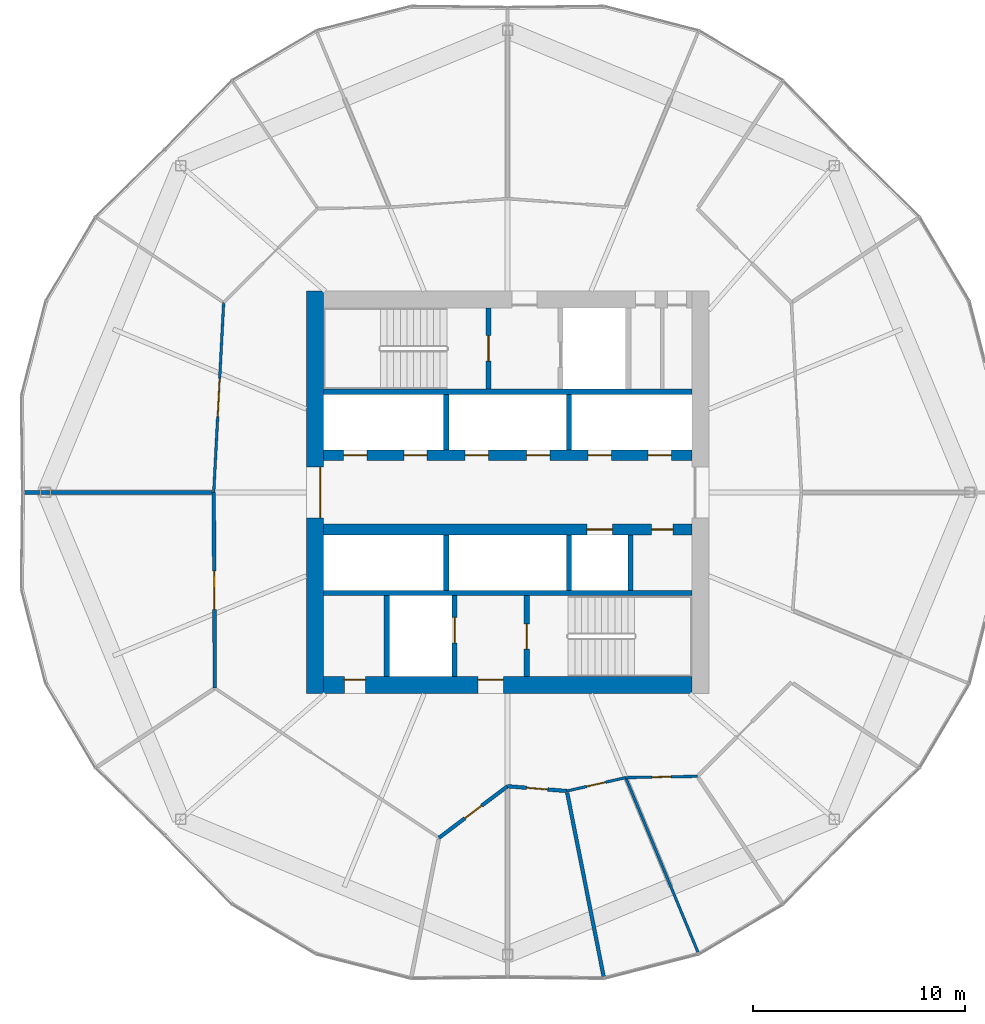
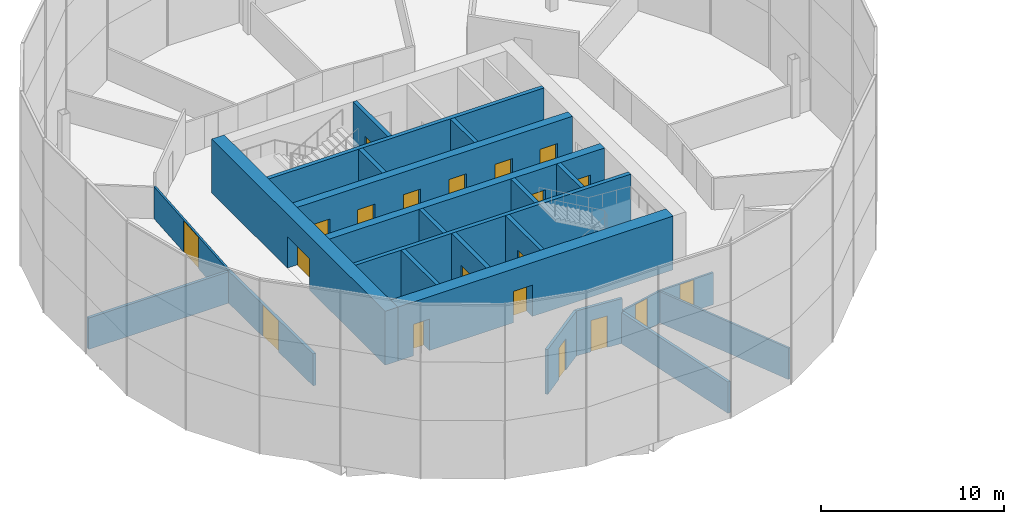
# One storey, part 20 of 25: 24 walls, 20 doors, 20 openings.
"""IFC4 building model written with IfcOpenShell, lengths in metres."""

from ifc_helpers import new_model, si_unit, direction, frame, frame_2d, origin, place, context, subcontext, project, spatial, rectangle, extrude, material, layer, layer_set, type_object, element, fill, save


model = new_model("IFC4")

# Units and contexts
model_context = context("Model", 3, precision=1e-05, world=origin(), true_north=direction((0.0, 1.0)))
body_context = subcontext(model_context, "Body", "Model", "MODEL_VIEW")
ifc_project = project(units=[si_unit("LENGTHUNIT", "METRE"), si_unit("AREAUNIT", "SQUARE_METRE"), si_unit("VOLUMEUNIT", "CUBIC_METRE"), si_unit("PLANEANGLEUNIT", "RADIAN"), si_unit("MASSUNIT", "GRAM", prefix="KILO")], contexts=[model_context])

# Site, building, storey
site_placement = place(None, origin())
site = spatial("IfcSite", under=ifc_project, at=site_placement, CompositionType="ELEMENT")
building_placement = place(site_placement, origin())
building = spatial("IfcBuilding", under=site, at=building_placement, Name="Ogive Gate Towers", CompositionType="ELEMENT")
storey_placement = place(building_placement, frame((0.0, 0.0, 44.10009765625)))
storey = spatial("IfcBuildingStorey", under=building, at=storey_placement, Name="L09", CompositionType="ELEMENT", Elevation=44.10009765625)

# Walls
ifc_material_1 = material(Name="Gypsum board acoustic partition")
ifc_layer_1 = layer(ifc_material_1, 0.175048828125)
ifc_layer_set_1 = layer_set([ifc_layer_1], Name="Acoustic partition 175")
wall_type_1 = type_object("IfcWallType", Name="Acoustic partition 175", PredefinedType="PARTITIONING", material=ifc_layer_set_1)
for number, where, z_axis, x_axis, name in (
    (1, (-58.799072265625, 0.0, 0.0), (0.0, 0.0, 1.0), (1.0, 0.0, 0.0), "Partition T1-L09-009"),
    (2, (-31.4619140625, -22.853271484375, 0.0), (0.0, 0.0, 1.0), (-0.194783088944, 0.980846342839, 0.0), "Partition T1-L09-013"),
):
    element("IfcWall", number, at=place(storey_placement, frame(where, z_axis=z_axis, x_axis=x_axis)), inside=storey, type_object=wall_type_1, Name=name, PredefinedType="PARTITIONING", context=body_context, shape_type="SweptSolid", body=[
        extrude(rectangle(XDim=8.841552734375, YDim=0.175048828125, at=frame_2d((4.4208984375, 0.0))), origin(), (0.0, 0.0, 1.0), 2.099853515625),
    ])

# Wall, opening, door
wall_1_placement = place(storey_placement, frame((-49.8701171875, 0.0, 0.0), z_axis=(0.0, 0.0, 1.0), x_axis=(0.005813701595, -0.999983100294, 0.0)))
wall_1 = element("IfcWall", 3, at=wall_1_placement, inside=storey, type_object=wall_type_1, Name="Partition T1-L09-023", PredefinedType="PARTITIONING", context=body_context, shape_type="SweptSolid", body=[
    extrude(rectangle(XDim=9.23876953125, YDim=0.175048828125, at=frame_2d((4.619384765625, 0.0))), origin(), (0.0, 0.0, 1.0), 2.139892578125),
])
opening_1_placement = place(wall_1_placement, frame((3.718994140625, 0.0, 0.0)))
opening_1 = element("IfcOpeningElement", 4, at=opening_1_placement, cuts=wall_1, Name="Opening T1-L09-D06", PredefinedType="OPENING", context=body_context, shape_type="SweptSolid", body=[
    extrude(rectangle(XDim=1.800048828125, YDim=2.10009765625, at=frame_2d((0.89990234375, 1.050048828125))), frame((0.0, 0.09765625, 0.0), z_axis=(0.0, -1.0, 0.0), x_axis=(1.0, 0.0, 0.0)), (0.0, 0.0, 1.0), 0.195068359375),
])
ifc_material_2 = material(Name="Timber door", Category="wood")
door_type_1 = type_object("IfcDoorType", Name="Door pair 1800", OperationType="NOTDEFINED", PredefinedType="DOOR", material=ifc_material_2)
door_1_placement = place(opening_1_placement, origin())
door_1 = element("IfcDoor", 5, at=door_1_placement, inside=storey, type_object=door_type_1, Name="Door T1-L09-D06", OperationType="DOUBLE_DOOR_DOUBLE_SWING", OverallHeight=2.10009765625, OverallWidth=1.800048828125, PredefinedType="DOOR", context=body_context, shape_type="SweptSolid", body=[
    extrude(rectangle(XDim=1.800048828125, YDim=2.10009765625, at=frame_2d((0.89990234375, 1.050048828125))), frame((0.0, 0.02490234375, 0.0), z_axis=(0.0, -1.0, 0.0), x_axis=(1.0, 0.0, 0.0)), (0.0, 0.0, 1.0), 0.050048828125),
])
fill(opening_1, door_1)

wall_2_placement = place(storey_placement, frame((-39.2373046875, -16.30224609375, 0.0), z_axis=(0.0, 0.0, 1.0), x_axis=(0.79950772628, 0.600655804616, 0.0)))
wall_2 = element("IfcWall", 6, at=wall_2_placement, inside=storey, type_object=wall_type_1, Name="Partition T1-L09-025", PredefinedType="PARTITIONING", context=body_context, shape_type="SweptSolid", body=[
    extrude(rectangle(XDim=4.049072265625, YDim=0.175048828125, at=frame_2d((2.0244140625, 0.0))), origin(), (0.0, 0.0, 1.0), 3.0),
])
opening_2_placement = place(wall_2_placement, frame((1.52490234375, 0.0, 0.0)))
opening_2 = element("IfcOpeningElement", 7, at=opening_2_placement, cuts=wall_2, Name="Opening T1-L09-D08", PredefinedType="OPENING", context=body_context, shape_type="SweptSolid", body=[
    extrude(rectangle(XDim=1.0, YDim=2.10009765625, at=frame_2d((0.5, 1.050048828125))), frame((0.0, 0.09765625, 0.0), z_axis=(0.0, -1.0, 0.0), x_axis=(1.0, 0.0, 0.0)), (0.0, 0.0, 1.0), 0.195068359375),
])
door_type_2 = type_object("IfcDoorType", Name="Door 1000", OperationType="NOTDEFINED", PredefinedType="DOOR", material=ifc_material_2)
door_2_placement = place(opening_2_placement, origin())
door_2 = element("IfcDoor", 8, at=door_2_placement, inside=storey, type_object=door_type_2, Name="Door T1-L09-D08", OperationType="SINGLE_SWING_RIGHT", OverallHeight=2.10009765625, OverallWidth=1.0, PredefinedType="DOOR", context=body_context, shape_type="SweptSolid", body=[
    extrude(rectangle(XDim=1.0, YDim=2.10009765625, at=frame_2d((0.5, 1.050048828125))), frame((0.0, 0.02490234375, 0.0), z_axis=(0.0, -1.0, 0.0), x_axis=(1.0, 0.0, 0.0)), (0.0, 0.0, 1.0), 0.050048828125),
])
fill(opening_2, door_2)

wall_3_placement = place(storey_placement, frame((-36.0, -13.8701171875, 0.0), z_axis=(0.0, 0.0, 1.0), x_axis=(0.996781460413, -0.080166827155, 0.0)))
wall_3 = element("IfcWall", 9, at=wall_3_placement, inside=storey, type_object=wall_type_1, Name="Partition T1-L09-026", PredefinedType="PARTITIONING", context=body_context, shape_type="SweptSolid", body=[
    extrude(rectangle(XDim=2.807861328125, YDim=0.175048828125, at=frame_2d((1.40380859375, 0.0))), origin(), (0.0, 0.0, 1.0), 3.0),
])
opening_3_placement = place(wall_3_placement, frame((0.904052734375, 0.0, 0.0)))
opening_3 = element("IfcOpeningElement", 10, at=opening_3_placement, cuts=wall_3, Name="Opening T1-L09-D09", PredefinedType="OPENING", context=body_context, shape_type="SweptSolid", body=[
    extrude(rectangle(XDim=1.0, YDim=2.10009765625, at=frame_2d((0.5, 1.050048828125))), frame((0.0, 0.09765625, 0.0), z_axis=(0.0, -1.0, 0.0), x_axis=(1.0, 0.0, 0.0)), (0.0, 0.0, 1.0), 0.195068359375),
])
door_3_placement = place(opening_3_placement, origin())
door_3 = element("IfcDoor", 11, at=door_3_placement, inside=storey, type_object=door_type_2, Name="Door T1-L09-D09", OperationType="SINGLE_SWING_LEFT", OverallHeight=2.10009765625, OverallWidth=1.0, PredefinedType="DOOR", context=body_context, shape_type="SweptSolid", body=[
    extrude(rectangle(XDim=1.0, YDim=2.10009765625, at=frame_2d((0.5, 1.050048828125))), frame((0.0, 0.02490234375, 0.0), z_axis=(0.0, -1.0, 0.0), x_axis=(1.0, 0.0, 0.0)), (0.0, 0.0, 1.0), 0.050048828125),
])
fill(opening_3, door_3)

# Wall, openings, doors
ifc_material_3 = material(Name="Concrete C60/75", Category="concrete")
ifc_layer_2 = layer(ifc_material_3, 0.800048828125)
ifc_layer_set_2 = layer_set([ifc_layer_2], Name="Core wall 800 mm")
wall_type_2 = type_object("IfcWallType", Name="Core wall 800 mm", PredefinedType="SHEAR", material=ifc_layer_set_2)
wall_4_placement = place(storey_placement, frame((-44.699951171875, -9.10009765625, 0.0), z_axis=(0.0, 0.0, 1.0), x_axis=(1.0, 0.0, 0.0)))
wall_4 = element("IfcWall", 12, at=wall_4_placement, inside=storey, type_object=wall_type_2, Name="T1 L09 Core wall 800 mm", PredefinedType="SHEAR", context=body_context, shape_type="SweptSolid", body=[
    extrude(rectangle(XDim=17.39990234375, YDim=0.800048828125, at=frame_2d((8.699951171875, 0.0))), origin(), (0.0, 0.0, 1.0), 3.599853515625),
])
opening_4_placement = place(wall_4_placement, frame((7.300048828125, 0.0, 0.0)))
opening_4 = element("IfcOpeningElement", 13, at=opening_4_placement, cuts=wall_4, Name="Opening KD-T1-L09-16", PredefinedType="OPENING", context=body_context, shape_type="SweptSolid", body=[
    extrude(rectangle(XDim=1.199951171875, YDim=2.10009765625, at=frame_2d((0.60009765625, 1.050048828125))), frame((0.0, 0.41015625, 0.0), z_axis=(0.0, -1.0, 0.0), x_axis=(1.0, 0.0, 0.0)), (0.0, 0.0, 1.0), 0.820068359375),
])
opening_5_placement = place(wall_4_placement, frame((1.0, 0.0, 0.0)))
opening_5 = element("IfcOpeningElement", 14, at=opening_5_placement, cuts=wall_4, Name="Opening KD-T1-L09-19", PredefinedType="OPENING", context=body_context, shape_type="SweptSolid", body=[
    extrude(rectangle(XDim=1.0, YDim=2.10009765625, at=frame_2d((0.5, 1.050048828125))), frame((0.0, 0.41015625, 0.0), z_axis=(0.0, -1.0, 0.0), x_axis=(1.0, 0.0, 0.0)), (0.0, 0.0, 1.0), 0.820068359375),
])
door_type_3 = type_object("IfcDoorType", Name="Accessible WC door 1000 x 2100", OperationType="NOTDEFINED", PredefinedType="DOOR", material=ifc_material_2)
door_4_placement = place(opening_5_placement, origin())
door_4 = element("IfcDoor", 15, at=door_4_placement, inside=storey, type_object=door_type_3, Name="T1 L09 Core door", OperationType="SINGLE_SWING_RIGHT", OverallHeight=2.10009765625, OverallWidth=1.0, PredefinedType="DOOR", context=body_context, shape_type="SweptSolid", body=[
    extrude(rectangle(XDim=1.0, YDim=2.10009765625, at=frame_2d((0.5, 1.050048828125))), frame((0.0, 0.27490234375, 0.0), z_axis=(0.0, -1.0, 0.0), x_axis=(1.0, 0.0, 0.0)), (0.0, 0.0, 1.0), 0.050048828125),
])
fill(opening_5, door_4)
ifc_material_4 = material(Name="Steel fire door", Category="steel")
door_type_4 = type_object("IfcDoorType", Name="Core door FD60S 1200 x 2100", OperationType="NOTDEFINED", PredefinedType="DOOR", material=ifc_material_4)
door_5_placement = place(opening_4_placement, origin())
door_5 = element("IfcDoor", 16, at=door_5_placement, inside=storey, type_object=door_type_4, Name="T1 L09 Fire-fighting lobby door", OperationType="SINGLE_SWING_LEFT", OverallHeight=2.10009765625, OverallWidth=1.199951171875, PredefinedType="DOOR", context=body_context, shape_type="SweptSolid", body=[
    extrude(rectangle(XDim=1.199951171875, YDim=2.10009765625, at=frame_2d((0.60009765625, 1.050048828125))), frame((0.0, 0.27490234375, 0.0), z_axis=(0.0, -1.0, 0.0), x_axis=(1.0, 0.0, 0.0)), (0.0, 0.0, 1.0), 0.050048828125),
])
fill(opening_4, door_5)

# Wall, opening, door
wall_5_placement = place(storey_placement, frame((-45.10009765625, -9.5, 0.0), z_axis=(0.0, 0.0, 1.0), x_axis=(0.0, 1.0, 0.0)))
wall_5 = element("IfcWall", 17, at=wall_5_placement, inside=storey, type_object=wall_type_2, Name="T1 L09 Core wall 800 mm", PredefinedType="SHEAR", context=body_context, shape_type="SweptSolid", body=[
    extrude(rectangle(XDim=19.0, YDim=0.800048828125, at=frame_2d((9.5, 0.0))), origin(), (0.0, 0.0, 1.0), 3.599853515625),
])
opening_6_placement = place(wall_5_placement, frame((8.300048828125, 0.0, 0.0)))
opening_6 = element("IfcOpeningElement", 18, at=opening_6_placement, cuts=wall_5, Name="Opening KD-T1-L09-01", PredefinedType="OPENING", context=body_context, shape_type="SweptSolid", body=[
    extrude(rectangle(XDim=2.39990234375, YDim=2.10009765625, at=frame_2d((1.199951171875, 1.050048828125))), frame((0.0, 0.41015625, 0.0), z_axis=(0.0, -1.0, 0.0), x_axis=(1.0, 0.0, 0.0)), (0.0, 0.0, 1.0), 0.820068359375),
])
door_type_5 = type_object("IfcDoorType", Name="Core double door FD60S 2400 x 2100", OperationType="DOUBLE_DOOR_SINGLE_SWING", PredefinedType="DOOR", material=ifc_material_4)
door_6_placement = place(opening_6_placement, origin())
door_6 = element("IfcDoor", 19, at=door_6_placement, inside=storey, type_object=door_type_5, Name="T1 L09 Core door double", OperationType="DOUBLE_DOOR_SINGLE_SWING", OverallHeight=2.10009765625, OverallWidth=2.39990234375, PredefinedType="DOOR", context=body_context, shape_type="SweptSolid", body=[
    extrude(rectangle(XDim=2.39990234375, YDim=2.10009765625, at=frame_2d((1.199951171875, 1.050048828125))), frame((0.0, -0.22509765625, 0.0), z_axis=(0.0, -1.0, 0.0), x_axis=(1.0, 0.0, 0.0)), (0.0, 0.0, 1.0), 0.050048828125),
])
fill(opening_6, door_6)

# Wall
ifc_material_5 = material(Name="Gypsum board partition")
ifc_layer_3 = layer(ifc_material_5, 0.125)
ifc_layer_set_3 = layer_set([ifc_layer_3], Name="Partition 125")
wall_type_3 = type_object("IfcWallType", Name="Partition 125", PredefinedType="PARTITIONING", material=ifc_layer_set_3)
wall_6_placement = place(storey_placement, frame((-27.007080078125, -21.711181640625, 0.0), z_axis=(0.0, 0.0, 1.0), x_axis=(-0.382657399133, 0.923890315399, 0.0)))
element("IfcWall", 20, at=wall_6_placement, inside=storey, type_object=wall_type_3, Name="Partition T1-L09-014", PredefinedType="PARTITIONING", context=body_context, shape_type="SweptSolid", body=[
    extrude(rectangle(XDim=8.866455078125, YDim=0.125, at=frame_2d((4.43310546875, 0.0))), origin(), (0.0, 0.0, 1.0), 2.099853515625),
])

# Wall, opening, door
wall_7_placement = place(storey_placement, frame((-49.40087890625, 8.960693359375, 0.0), z_axis=(0.0, 0.0, 1.0), x_axis=(-0.052294638748, -0.998631699256, 0.0)))
wall_7 = element("IfcWall", 21, at=wall_7_placement, inside=storey, type_object=wall_type_3, Name="Partition T1-L09-022", PredefinedType="PARTITIONING", context=body_context, shape_type="SweptSolid", body=[
    extrude(rectangle(XDim=8.972900390625, YDim=0.125, at=frame_2d((4.486328125, 0.0))), origin(), (0.0, 0.0, 1.0), 2.139892578125),
])
opening_7_placement = place(wall_7_placement, frame((3.5859375, 0.0, 0.0)))
opening_7 = element("IfcOpeningElement", 22, at=opening_7_placement, cuts=wall_7, Name="Opening T1-L09-D05", PredefinedType="OPENING", context=body_context, shape_type="SweptSolid", body=[
    extrude(rectangle(XDim=1.800048828125, YDim=2.10009765625, at=frame_2d((0.89990234375, 1.050048828125))), frame((0.0, 0.072509765625, 0.0), z_axis=(0.0, -1.0, 0.0), x_axis=(1.0, 0.0, 0.0)), (0.0, 0.0, 1.0), 0.14501953125),
])
door_7_placement = place(opening_7_placement, origin())
door_7 = element("IfcDoor", 23, at=door_7_placement, inside=storey, type_object=door_type_1, Name="Door T1-L09-D05", OperationType="DOUBLE_DOOR_DOUBLE_SWING", OverallHeight=2.10009765625, OverallWidth=1.800048828125, PredefinedType="DOOR", context=body_context, shape_type="SweptSolid", body=[
    extrude(rectangle(XDim=1.800048828125, YDim=2.10009765625, at=frame_2d((0.89990234375, 1.050048828125))), frame((0.0, 0.02490234375, 0.0), z_axis=(0.0, -1.0, 0.0), x_axis=(1.0, 0.0, 0.0)), (0.0, 0.0, 1.0), 0.050048828125),
])
fill(opening_7, door_7)

wall_8_placement = place(storey_placement, frame((-33.201171875, -14.09521484375, 0.0), z_axis=(0.0, 0.0, 1.0), x_axis=(0.974974331621, 0.222317459232, 0.0)))
wall_8 = element("IfcWall", 24, at=wall_8_placement, inside=storey, type_object=wall_type_3, Name="Partition T1-L09-027", PredefinedType="PARTITIONING", context=body_context, shape_type="SweptSolid", body=[
    extrude(rectangle(XDim=2.8486328125, YDim=0.125, at=frame_2d((1.42431640625, 0.0))), origin(), (0.0, 0.0, 1.0), 2.139892578125),
])
opening_8_placement = place(wall_8_placement, frame((0.97412109375, 0.0, 0.0)))
opening_8 = element("IfcOpeningElement", 25, at=opening_8_placement, cuts=wall_8, Name="Opening T1-L09-D10", PredefinedType="OPENING", context=body_context, shape_type="SweptSolid", body=[
    extrude(rectangle(XDim=0.89990234375, YDim=2.10009765625, at=frame_2d((0.449951171875, 1.050048828125))), frame((0.0, 0.072509765625, 0.0), z_axis=(0.0, -1.0, 0.0), x_axis=(1.0, 0.0, 0.0)), (0.0, 0.0, 1.0), 0.14501953125),
])
door_type_6 = type_object("IfcDoorType", Name="Door 900", OperationType="NOTDEFINED", PredefinedType="DOOR", material=ifc_material_2)
door_8_placement = place(opening_8_placement, origin())
door_8 = element("IfcDoor", 26, at=door_8_placement, inside=storey, type_object=door_type_6, Name="Door T1-L09-D10", OperationType="SINGLE_SWING_LEFT", OverallHeight=2.10009765625, OverallWidth=0.89990234375, PredefinedType="DOOR", context=body_context, shape_type="SweptSolid", body=[
    extrude(rectangle(XDim=0.89990234375, YDim=2.10009765625, at=frame_2d((0.449951171875, 1.050048828125))), frame((0.0, 0.02490234375, 0.0), z_axis=(0.0, -1.0, 0.0), x_axis=(1.0, 0.0, 0.0)), (0.0, 0.0, 1.0), 0.050048828125),
])
fill(opening_8, door_8)

wall_9_placement = place(storey_placement, frame((-30.423828125, -13.4619140625, 0.0), z_axis=(0.0, 0.0, 1.0), x_axis=(0.999837434021, 0.018030683006, 0.0)))
wall_9 = element("IfcWall", 27, at=wall_9_placement, inside=storey, type_object=wall_type_3, Name="Partition T1-L09-028", PredefinedType="PARTITIONING", context=body_context, shape_type="SweptSolid", body=[
    extrude(rectangle(XDim=3.385009765625, YDim=0.125, at=frame_2d((1.6923828125, 0.0))), origin(), (0.0, 0.0, 1.0), 2.139892578125),
])
opening_9_placement = place(wall_9_placement, frame((1.242919921875, 0.0, 0.0)))
opening_9 = element("IfcOpeningElement", 28, at=opening_9_placement, cuts=wall_9, Name="Opening T1-L09-D11", PredefinedType="OPENING", context=body_context, shape_type="SweptSolid", body=[
    extrude(rectangle(XDim=0.89990234375, YDim=2.10009765625, at=frame_2d((0.449951171875, 1.050048828125))), frame((0.0, 0.072509765625, 0.0), z_axis=(0.0, -1.0, 0.0), x_axis=(1.0, 0.0, 0.0)), (0.0, 0.0, 1.0), 0.14501953125),
])
door_9_placement = place(opening_9_placement, origin())
door_9 = element("IfcDoor", 29, at=door_9_placement, inside=storey, type_object=door_type_6, Name="Door T1-L09-D11", OperationType="SINGLE_SWING_RIGHT", OverallHeight=2.10009765625, OverallWidth=0.89990234375, PredefinedType="DOOR", context=body_context, shape_type="SweptSolid", body=[
    extrude(rectangle(XDim=0.89990234375, YDim=2.10009765625, at=frame_2d((0.449951171875, 1.050048828125))), frame((0.0, 0.02490234375, 0.0), z_axis=(0.0, -1.0, 0.0), x_axis=(1.0, 0.0, 0.0)), (0.0, 0.0, 1.0), 0.050048828125),
])
fill(opening_9, door_9)

# Walls
ifc_layer_4 = layer(ifc_material_3, 0.25)
ifc_layer_set_4 = layer_set([ifc_layer_4], Name="Shaft wall 250 mm")
wall_type_4 = type_object("IfcWallType", Name="Shaft wall 250 mm", PredefinedType="SHEAR", material=ifc_layer_set_4)
for number, where, z_axis, x_axis, name in (
    (30, (-44.699951171875, -4.75, 0.0), (0.0, 0.0, 1.0), (1.0, 0.0, 0.0), "T1 L09 Shaft wall 250 mm"),
    (31, (-44.699951171875, 4.75, 0.0), (0.0, 0.0, 1.0), (1.0, 0.0, 0.0), "T1 L09 Shaft wall 250 mm"),
):
    element("IfcWall", number, at=place(storey_placement, frame(where, z_axis=z_axis, x_axis=x_axis)), inside=storey, type_object=wall_type_4, Name=name, PredefinedType="SHEAR", context=body_context, shape_type="SweptSolid", body=[
        extrude(rectangle(XDim=17.39990234375, YDim=0.25, at=frame_2d((8.699951171875, 0.0))), origin(), (0.0, 0.0, 1.0), 3.599853515625),
    ])
wall_10_placement = place(storey_placement, frame((-41.699951171875, -8.699951171875, 0.0), z_axis=(0.0, 0.0, 1.0), x_axis=(0.0, 1.0, 0.0)))
element("IfcWall", 32, at=wall_10_placement, inside=storey, type_object=wall_type_4, Name="T1 L09 Shaft wall 250 mm", PredefinedType="SHEAR", context=body_context, shape_type="SweptSolid", body=[
    extrude(rectangle(XDim=3.824951171875, YDim=0.25, at=frame_2d((1.91259765625, 0.0))), origin(), (0.0, 0.0, 1.0), 3.599853515625),
])
for number, where, z_axis, x_axis, name in (
    (33, (-38.89990234375, -4.625, 0.0), (0.0, 0.0, 1.0), (0.0, 1.0, 0.0), "T1 L09 Shaft wall 250 mm"),
    (34, (-38.89990234375, 2.0, 0.0), (0.0, 0.0, 1.0), (0.0, 1.0, 0.0), "T1 L09 Shaft wall 250 mm"),
):
    element("IfcWall", number, at=place(storey_placement, frame(where, z_axis=z_axis, x_axis=x_axis)), inside=storey, type_object=wall_type_4, Name=name, PredefinedType="SHEAR", context=body_context, shape_type="SweptSolid", body=[
        extrude(rectangle(XDim=2.625, YDim=0.25, at=frame_2d((1.3125, 0.0))), origin(), (0.0, 0.0, 1.0), 3.599853515625),
    ])

# Wall, opening, door
wall_11_placement = place(storey_placement, frame((-38.5, -8.699951171875, 0.0), z_axis=(0.0, 0.0, 1.0), x_axis=(0.0, 1.0, 0.0)))
wall_11 = element("IfcWall", 35, at=wall_11_placement, inside=storey, type_object=wall_type_4, Name="T1 L09 Shaft wall 250 mm", PredefinedType="SHEAR", context=body_context, shape_type="SweptSolid", body=[
    extrude(rectangle(XDim=3.824951171875, YDim=0.25, at=frame_2d((1.91259765625, 0.0))), origin(), (0.0, 0.0, 1.0), 3.599853515625),
])
opening_10_placement = place(wall_11_placement, frame((1.60009765625, 0.0, 0.0)))
opening_10 = element("IfcOpeningElement", 36, at=opening_10_placement, cuts=wall_11, Name="Opening LD-T1-L09-11", PredefinedType="OPENING", context=body_context, shape_type="SweptSolid", body=[
    extrude(rectangle(XDim=1.199951171875, YDim=2.10009765625, at=frame_2d((0.60009765625, 1.050048828125))), frame((0.0, 0.135009765625, 0.0), z_axis=(0.0, -1.0, 0.0), x_axis=(1.0, 0.0, 0.0)), (0.0, 0.0, 1.0), 0.27001953125),
])
ifc_material_6 = material(Name="Stainless steel landing door", Category="steel")
door_type_7 = type_object("IfcDoorType", Name="Landing door 1200 x 2100", OperationType="SLIDING_TO_LEFT", PredefinedType="DOOR", material=ifc_material_6)
door_10_placement = place(opening_10_placement, origin())
door_10 = element("IfcDoor", 37, at=door_10_placement, inside=storey, type_object=door_type_7, Name="T1 L09 Lift landing door FF2", OperationType="SLIDING_TO_LEFT", OverallHeight=2.10009765625, OverallWidth=1.199951171875, PredefinedType="DOOR", context=body_context, shape_type="SweptSolid", body=[
    extrude(rectangle(XDim=1.199951171875, YDim=2.10009765625, at=frame_2d((0.60009765625, 1.050048828125))), frame((0.0, 0.02490234375, 0.0), z_axis=(0.0, -1.0, 0.0), x_axis=(1.0, 0.0, 0.0)), (0.0, 0.0, 1.0), 0.050048828125),
])
fill(opening_10, door_10)

wall_12_placement = place(storey_placement, frame((-36.89990234375, 4.875, 0.0), z_axis=(0.0, 0.0, 1.0), x_axis=(0.0, 1.0, 0.0)))
wall_12 = element("IfcWall", 38, at=wall_12_placement, inside=storey, type_object=wall_type_4, Name="T1 L09 Shaft wall 250 mm", PredefinedType="SHEAR", context=body_context, shape_type="SweptSolid", body=[
    extrude(rectangle(XDim=3.824951171875, YDim=0.25, at=frame_2d((1.91259765625, 0.0))), origin(), (0.0, 0.0, 1.0), 3.599853515625),
])
opening_11_placement = place(wall_12_placement, frame((1.324951171875, 0.0, 0.0)))
opening_11 = element("IfcOpeningElement", 39, at=opening_11_placement, cuts=wall_12, Name="Opening KD-T1-L09-13", PredefinedType="OPENING", context=body_context, shape_type="SweptSolid", body=[
    extrude(rectangle(XDim=1.199951171875, YDim=2.10009765625, at=frame_2d((0.60009765625, 1.050048828125))), frame((0.0, 0.135009765625, 0.0), z_axis=(0.0, -1.0, 0.0), x_axis=(1.0, 0.0, 0.0)), (0.0, 0.0, 1.0), 0.27001953125),
])
door_11_placement = place(opening_11_placement, origin())
door_11 = element("IfcDoor", 40, at=door_11_placement, inside=storey, type_object=door_type_4, Name="T1 L09 Stair door", OperationType="SINGLE_SWING_RIGHT", OverallHeight=2.10009765625, OverallWidth=1.199951171875, PredefinedType="DOOR", context=body_context, shape_type="SweptSolid", body=[
    extrude(rectangle(XDim=1.199951171875, YDim=2.10009765625, at=frame_2d((0.60009765625, 1.050048828125))), frame((0.0, 0.02490234375, 0.0), z_axis=(0.0, -1.0, 0.0), x_axis=(1.0, 0.0, 0.0)), (0.0, 0.0, 1.0), 0.050048828125),
])
fill(opening_11, door_11)

wall_13_placement = place(storey_placement, frame((-35.10009765625, -8.699951171875, 0.0), z_axis=(0.0, 0.0, 1.0), x_axis=(0.0, 1.0, 0.0)))
wall_13 = element("IfcWall", 41, at=wall_13_placement, inside=storey, type_object=wall_type_4, Name="T1 L09 Shaft wall 250 mm", PredefinedType="SHEAR", context=body_context, shape_type="SweptSolid", body=[
    extrude(rectangle(XDim=3.824951171875, YDim=0.25, at=frame_2d((1.91259765625, 0.0))), origin(), (0.0, 0.0, 1.0), 3.599853515625),
])
opening_12_placement = place(wall_13_placement, frame((1.300048828125, 0.0, 0.0)))
opening_12 = element("IfcOpeningElement", 42, at=opening_12_placement, cuts=wall_13, Name="Opening KD-T1-L09-14", PredefinedType="OPENING", context=body_context, shape_type="SweptSolid", body=[
    extrude(rectangle(XDim=1.199951171875, YDim=2.10009765625, at=frame_2d((0.60009765625, 1.050048828125))), frame((0.0, 0.135009765625, 0.0), z_axis=(0.0, -1.0, 0.0), x_axis=(1.0, 0.0, 0.0)), (0.0, 0.0, 1.0), 0.27001953125),
])
door_12_placement = place(opening_12_placement, origin())
door_12 = element("IfcDoor", 43, at=door_12_placement, inside=storey, type_object=door_type_4, Name="T1 L09 Stair door", OperationType="SINGLE_SWING_LEFT", OverallHeight=2.10009765625, OverallWidth=1.199951171875, PredefinedType="DOOR", context=body_context, shape_type="SweptSolid", body=[
    extrude(rectangle(XDim=1.199951171875, YDim=2.10009765625, at=frame_2d((0.60009765625, 1.050048828125))), frame((0.0, 0.02490234375, 0.0), z_axis=(0.0, -1.0, 0.0), x_axis=(1.0, 0.0, 0.0)), (0.0, 0.0, 1.0), 0.050048828125),
])
fill(opening_12, door_12)

# Walls
for number, where, z_axis, x_axis, name in (
    (44, (-33.10009765625, -4.625, 0.0), (0.0, 0.0, 1.0), (0.0, 1.0, 0.0), "T1 L09 Shaft wall 250 mm"),
    (45, (-33.10009765625, 2.0, 0.0), (0.0, 0.0, 1.0), (0.0, 1.0, 0.0), "T1 L09 Shaft wall 250 mm"),
    (46, (-30.199951171875, -4.625, 0.0), (0.0, 0.0, 1.0), (0.0, 1.0, 0.0), "T1 L09 Shaft wall 250 mm"),
):
    element("IfcWall", number, at=place(storey_placement, frame(where, z_axis=z_axis, x_axis=x_axis)), inside=storey, type_object=wall_type_4, Name=name, PredefinedType="SHEAR", context=body_context, shape_type="SweptSolid", body=[
        extrude(rectangle(XDim=2.625, YDim=0.25, at=frame_2d((1.3125, 0.0))), origin(), (0.0, 0.0, 1.0), 3.599853515625),
    ])

# Wall, openings, doors
ifc_layer_5 = layer(ifc_material_3, 0.5)
ifc_layer_set_5 = layer_set([ifc_layer_5], Name="Spine wall 500 mm")
wall_type_5 = type_object("IfcWallType", Name="Spine wall 500 mm", PredefinedType="SHEAR", material=ifc_layer_set_5)
wall_14_placement = place(storey_placement, frame((-44.699951171875, -1.75, 0.0), z_axis=(0.0, 0.0, 1.0), x_axis=(1.0, 0.0, 0.0)))
wall_14 = element("IfcWall", 47, at=wall_14_placement, inside=storey, type_object=wall_type_5, Name="T1 L09 Spine wall 500 mm", PredefinedType="SHEAR", context=body_context, shape_type="SweptSolid", body=[
    extrude(rectangle(XDim=17.39990234375, YDim=0.5, at=frame_2d((8.699951171875, 0.0))), origin(), (0.0, 0.0, 1.0), 3.599853515625),
])
opening_13_placement = place(wall_14_placement, frame((12.449951171875, 0.0, 0.0)))
opening_13 = element("IfcOpeningElement", 48, at=opening_13_placement, cuts=wall_14, Name="Opening LD-T1-L09-09", PredefinedType="OPENING", context=body_context, shape_type="SweptSolid", body=[
    extrude(rectangle(XDim=1.199951171875, YDim=2.10009765625, at=frame_2d((0.60009765625, 1.050048828125))), frame((0.0, 0.260009765625, 0.0), z_axis=(0.0, -1.0, 0.0), x_axis=(1.0, 0.0, 0.0)), (0.0, 0.0, 1.0), 0.52001953125),
])
opening_14_placement = place(wall_14_placement, frame((15.5, 0.0, 0.0)))
opening_14 = element("IfcOpeningElement", 49, at=opening_14_placement, cuts=wall_14, Name="Opening KD-T1-L09-12", PredefinedType="OPENING", context=body_context, shape_type="SweptSolid", body=[
    extrude(rectangle(XDim=1.0, YDim=2.10009765625, at=frame_2d((0.5, 1.050048828125))), frame((0.0, 0.260009765625, 0.0), z_axis=(0.0, -1.0, 0.0), x_axis=(1.0, 0.0, 0.0)), (0.0, 0.0, 1.0), 0.52001953125),
])
door_type_8 = type_object("IfcDoorType", Name="Core door FD60S 1000 x 2100", OperationType="NOTDEFINED", PredefinedType="DOOR", material=ifc_material_4)
door_13_placement = place(opening_14_placement, origin())
door_13 = element("IfcDoor", 50, at=door_13_placement, inside=storey, type_object=door_type_8, Name="T1 L09 Core door", OperationType="SINGLE_SWING_LEFT", OverallHeight=2.10009765625, OverallWidth=1.0, PredefinedType="DOOR", context=body_context, shape_type="SweptSolid", body=[
    extrude(rectangle(XDim=1.0, YDim=2.10009765625, at=frame_2d((0.5, 1.050048828125))), frame((0.0, 0.02490234375, 0.0), z_axis=(0.0, -1.0, 0.0), x_axis=(1.0, 0.0, 0.0)), (0.0, 0.0, 1.0), 0.050048828125),
])
fill(opening_14, door_13)
door_14_placement = place(opening_13_placement, origin())
door_14 = element("IfcDoor", 51, at=door_14_placement, inside=storey, type_object=door_type_7, Name="T1 L09 Lift landing door SVC", OperationType="SLIDING_TO_LEFT", OverallHeight=2.10009765625, OverallWidth=1.199951171875, PredefinedType="DOOR", context=body_context, shape_type="SweptSolid", body=[
    extrude(rectangle(XDim=1.199951171875, YDim=2.10009765625, at=frame_2d((0.60009765625, 1.050048828125))), frame((0.0, 0.02490234375, 0.0), z_axis=(0.0, -1.0, 0.0), x_axis=(1.0, 0.0, 0.0)), (0.0, 0.0, 1.0), 0.050048828125),
])
fill(opening_13, door_14)

wall_15_placement = place(storey_placement, frame((-44.699951171875, 1.75, 0.0), z_axis=(0.0, 0.0, 1.0), x_axis=(1.0, 0.0, 0.0)))
wall_15 = element("IfcWall", 52, at=wall_15_placement, inside=storey, type_object=wall_type_5, Name="T1 L09 Spine wall 500 mm", PredefinedType="SHEAR", context=body_context, shape_type="SweptSolid", body=[
    extrude(rectangle(XDim=17.39990234375, YDim=0.5, at=frame_2d((8.699951171875, 0.0))), origin(), (0.0, 0.0, 1.0), 3.599853515625),
])
opening_15_placement = place(wall_15_placement, frame((0.96240234375, 0.0, 0.0)))
opening_15 = element("IfcOpeningElement", 53, at=opening_15_placement, cuts=wall_15, Name="Opening LD-T1-L09-03", PredefinedType="OPENING", context=body_context, shape_type="SweptSolid", body=[
    extrude(rectangle(XDim=1.10009765625, YDim=2.10009765625, at=frame_2d((0.550048828125, 1.050048828125))), frame((0.0, 0.260009765625, 0.0), z_axis=(0.0, -1.0, 0.0), x_axis=(1.0, 0.0, 0.0)), (0.0, 0.0, 1.0), 0.52001953125),
])
opening_16_placement = place(wall_15_placement, frame((3.800048828125, 0.0, 0.0)))
opening_16 = element("IfcOpeningElement", 54, at=opening_16_placement, cuts=wall_15, Name="Opening LD-T1-L09-04", PredefinedType="OPENING", context=body_context, shape_type="SweptSolid", body=[
    extrude(rectangle(XDim=1.10009765625, YDim=2.10009765625, at=frame_2d((0.550048828125, 1.050048828125))), frame((0.0, 0.260009765625, 0.0), z_axis=(0.0, -1.0, 0.0), x_axis=(1.0, 0.0, 0.0)), (0.0, 0.0, 1.0), 0.52001953125),
])
opening_17_placement = place(wall_15_placement, frame((6.699951171875, 0.0, 0.0)))
opening_17 = element("IfcOpeningElement", 55, at=opening_17_placement, cuts=wall_15, Name="Opening LD-T1-L09-05", PredefinedType="OPENING", context=body_context, shape_type="SweptSolid", body=[
    extrude(rectangle(XDim=1.10009765625, YDim=2.10009765625, at=frame_2d((0.550048828125, 1.050048828125))), frame((0.0, 0.260009765625, 0.0), z_axis=(0.0, -1.0, 0.0), x_axis=(1.0, 0.0, 0.0)), (0.0, 0.0, 1.0), 0.52001953125),
])
opening_18_placement = place(wall_15_placement, frame((9.60009765625, 0.0, 0.0)))
opening_18 = element("IfcOpeningElement", 56, at=opening_18_placement, cuts=wall_15, Name="Opening LD-T1-L09-06", PredefinedType="OPENING", context=body_context, shape_type="SweptSolid", body=[
    extrude(rectangle(XDim=1.10009765625, YDim=2.10009765625, at=frame_2d((0.550048828125, 1.050048828125))), frame((0.0, 0.260009765625, 0.0), z_axis=(0.0, -1.0, 0.0), x_axis=(1.0, 0.0, 0.0)), (0.0, 0.0, 1.0), 0.52001953125),
])
opening_19_placement = place(wall_15_placement, frame((12.5, 0.0, 0.0)))
opening_19 = element("IfcOpeningElement", 57, at=opening_19_placement, cuts=wall_15, Name="Opening LD-T1-L09-07", PredefinedType="OPENING", context=body_context, shape_type="SweptSolid", body=[
    extrude(rectangle(XDim=1.10009765625, YDim=2.10009765625, at=frame_2d((0.550048828125, 1.050048828125))), frame((0.0, 0.260009765625, 0.0), z_axis=(0.0, -1.0, 0.0), x_axis=(1.0, 0.0, 0.0)), (0.0, 0.0, 1.0), 0.52001953125),
])
opening_20_placement = place(wall_15_placement, frame((15.33740234375, 0.0, 0.0)))
opening_20 = element("IfcOpeningElement", 58, at=opening_20_placement, cuts=wall_15, Name="Opening LD-T1-L09-08", PredefinedType="OPENING", context=body_context, shape_type="SweptSolid", body=[
    extrude(rectangle(XDim=1.10009765625, YDim=2.10009765625, at=frame_2d((0.550048828125, 1.050048828125))), frame((0.0, 0.260009765625, 0.0), z_axis=(0.0, -1.0, 0.0), x_axis=(1.0, 0.0, 0.0)), (0.0, 0.0, 1.0), 0.52001953125),
])
door_type_9 = type_object("IfcDoorType", Name="Landing door 1100 x 2100", OperationType="SLIDING_TO_LEFT", PredefinedType="DOOR", material=ifc_material_6)
door_15_placement = place(opening_15_placement, origin())
door_15 = element("IfcDoor", 59, at=door_15_placement, inside=storey, type_object=door_type_9, Name="T1 L09 Lift landing door A1", OperationType="SLIDING_TO_LEFT", OverallHeight=2.10009765625, OverallWidth=1.10009765625, PredefinedType="DOOR", context=body_context, shape_type="SweptSolid", body=[
    extrude(rectangle(XDim=1.10009765625, YDim=2.10009765625, at=frame_2d((0.550048828125, 1.050048828125))), frame((0.0, 0.02490234375, 0.0), z_axis=(0.0, -1.0, 0.0), x_axis=(1.0, 0.0, 0.0)), (0.0, 0.0, 1.0), 0.050048828125),
])
fill(opening_15, door_15)
door_16_placement = place(opening_16_placement, origin())
door_16 = element("IfcDoor", 60, at=door_16_placement, inside=storey, type_object=door_type_9, Name="T1 L09 Lift landing door A2", OperationType="SLIDING_TO_LEFT", OverallHeight=2.10009765625, OverallWidth=1.10009765625, PredefinedType="DOOR", context=body_context, shape_type="SweptSolid", body=[
    extrude(rectangle(XDim=1.10009765625, YDim=2.10009765625, at=frame_2d((0.550048828125, 1.050048828125))), frame((0.0, 0.02490234375, 0.0), z_axis=(0.0, -1.0, 0.0), x_axis=(1.0, 0.0, 0.0)), (0.0, 0.0, 1.0), 0.050048828125),
])
fill(opening_16, door_16)
door_17_placement = place(opening_17_placement, origin())
door_17 = element("IfcDoor", 61, at=door_17_placement, inside=storey, type_object=door_type_9, Name="T1 L09 Lift landing door A3", OperationType="SLIDING_TO_LEFT", OverallHeight=2.10009765625, OverallWidth=1.10009765625, PredefinedType="DOOR", context=body_context, shape_type="SweptSolid", body=[
    extrude(rectangle(XDim=1.10009765625, YDim=2.10009765625, at=frame_2d((0.550048828125, 1.050048828125))), frame((0.0, 0.02490234375, 0.0), z_axis=(0.0, -1.0, 0.0), x_axis=(1.0, 0.0, 0.0)), (0.0, 0.0, 1.0), 0.050048828125),
])
fill(opening_17, door_17)
door_18_placement = place(opening_18_placement, origin())
door_18 = element("IfcDoor", 62, at=door_18_placement, inside=storey, type_object=door_type_9, Name="T1 L09 Lift landing door A4", OperationType="SLIDING_TO_LEFT", OverallHeight=2.10009765625, OverallWidth=1.10009765625, PredefinedType="DOOR", context=body_context, shape_type="SweptSolid", body=[
    extrude(rectangle(XDim=1.10009765625, YDim=2.10009765625, at=frame_2d((0.550048828125, 1.050048828125))), frame((0.0, 0.02490234375, 0.0), z_axis=(0.0, -1.0, 0.0), x_axis=(1.0, 0.0, 0.0)), (0.0, 0.0, 1.0), 0.050048828125),
])
fill(opening_18, door_18)
door_19_placement = place(opening_19_placement, origin())
door_19 = element("IfcDoor", 63, at=door_19_placement, inside=storey, type_object=door_type_9, Name="T1 L09 Lift landing door A5", OperationType="SLIDING_TO_LEFT", OverallHeight=2.10009765625, OverallWidth=1.10009765625, PredefinedType="DOOR", context=body_context, shape_type="SweptSolid", body=[
    extrude(rectangle(XDim=1.10009765625, YDim=2.10009765625, at=frame_2d((0.550048828125, 1.050048828125))), frame((0.0, 0.02490234375, 0.0), z_axis=(0.0, -1.0, 0.0), x_axis=(1.0, 0.0, 0.0)), (0.0, 0.0, 1.0), 0.050048828125),
])
fill(opening_19, door_19)
door_20_placement = place(opening_20_placement, origin())
door_20 = element("IfcDoor", 64, at=door_20_placement, inside=storey, type_object=door_type_9, Name="T1 L09 Lift landing door A6", OperationType="SLIDING_TO_LEFT", OverallHeight=2.10009765625, OverallWidth=1.10009765625, PredefinedType="DOOR", context=body_context, shape_type="SweptSolid", body=[
    extrude(rectangle(XDim=1.10009765625, YDim=2.10009765625, at=frame_2d((0.550048828125, 1.050048828125))), frame((0.0, 0.02490234375, 0.0), z_axis=(0.0, -1.0, 0.0), x_axis=(1.0, 0.0, 0.0)), (0.0, 0.0, 1.0), 0.050048828125),
])
fill(opening_20, door_20)

save(model, "model.ifc")
